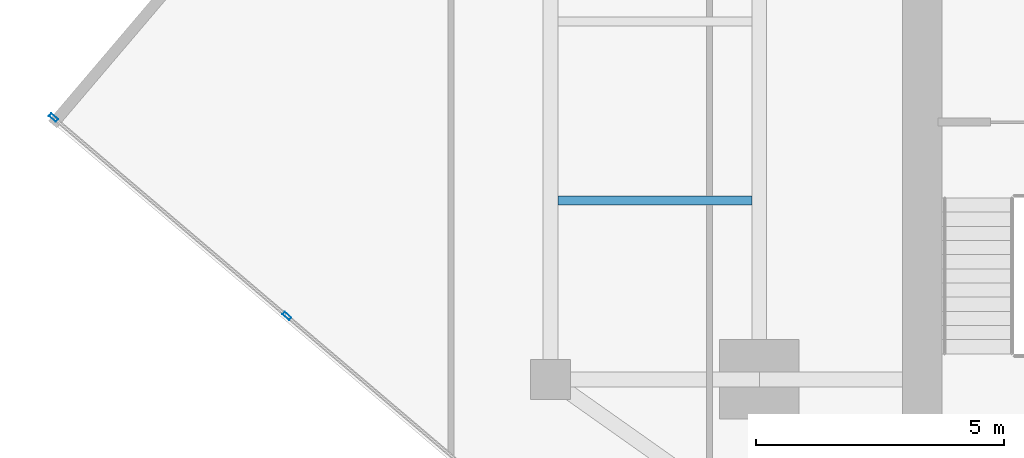
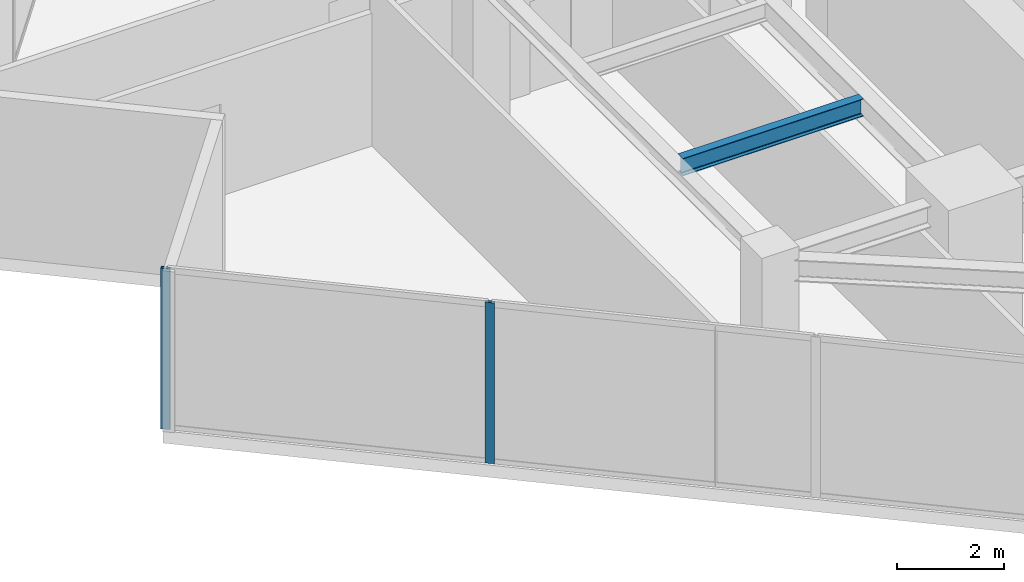
# One storey, part 6 of 25: 2 members, 1 beam, 1 element without a shape of its own.
"""IFC4 building model written with IfcOpenShell, lengths in metres."""

from ifc_helpers import new_model, si_unit, direction, frame, origin, origin_2d, place, context, subcontext, project, spatial, hollow_rectangle, i_section, extrude, source, transform, mapped, material, material_profile, profile_set, type_object, type_shapes, element, aggregate, save


model = new_model("IFC4")

# Units and contexts
model_context = context("Model", 3, precision=1e-05, world=origin(), true_north=direction((0.0, 1.0)))
body_context = subcontext(model_context, "Body", "Model", "MODEL_VIEW")
ifc_project = project(units=[si_unit("LENGTHUNIT", "METRE"), si_unit("AREAUNIT", "SQUARE_METRE"), si_unit("VOLUMEUNIT", "CUBIC_METRE"), si_unit("PLANEANGLEUNIT", "RADIAN"), si_unit("MASSUNIT", "GRAM", prefix="KILO")], contexts=[model_context])

# Site, building, storey
site_placement = place(None, origin())
site = spatial("IfcSite", under=ifc_project, at=site_placement, CompositionType="ELEMENT")
building_placement = place(site_placement, origin())
building = spatial("IfcBuilding", under=site, at=building_placement, Name="Krantzveldt Concourse Tower", CompositionType="ELEMENT")
storey_placement = place(building_placement, frame((0.0, 0.0, 211.25)))
storey = spatial("IfcBuildingStorey", under=building, at=storey_placement, Name="L51", CompositionType="ELEMENT", Elevation=211.25)

# Beam
ifc_material_1 = material(Name="Steel S355JR", Category="steel")
ifc_material_profile_1 = material_profile(ifc_material_1, i_section(OverallWidth=0.179931640625, OverallDepth=0.39990234375, WebThickness=0.008544921875, FlangeThickness=0.013427734375, FilletRadius=0.02099609375, at=origin_2d()), Name="Steel S355JR", Category="steel")
ifc_profile_set_1 = profile_set([ifc_material_profile_1], Name="Steel S355JR - IPE 400")
beam_type = type_object("IfcBeamType", Name="BM-J-IPE400", PredefinedType="JOIST", material=ifc_profile_set_1)
shared_shape_1 = source(origin(), body_context, "Body", "SweptSolid", [
    extrude(i_section(OverallWidth=0.179931640625, OverallDepth=0.39990234375, WebThickness=0.008544921875, FlangeThickness=0.013427734375, FilletRadius=0.02099609375, at=origin_2d()), origin(), (0.0, 0.0, 1.0), 3.900146484375),
])
type_shapes(beam_type, [shared_shape_1])
beam_placement = place(storey_placement, frame((21.14990234375, 19.5, 3.469970703125), z_axis=(1.0, 0.0, 0.0), x_axis=(0.0, 1.0, 0.0)))
element("IfcBeam", 1, at=beam_placement, inside=storey, type_object=beam_type, Name="L51 Secondary Floor Joist JW-1", PredefinedType="JOIST", context=body_context, shape_type="MappedRepresentation", body=[
    mapped(shared_shape_1, transform((0.0, 0.0, 0.0), x_axis=(1.0, 0.0, 0.0), y_axis=(0.0, 1.0, 0.0), z_axis=(0.0, 0.0, 1.0), scale=1.0)),
])

# Curtain wall, members
ifc_material_2 = material(Name="Anodised aluminium 6063-T6", Category="aluminium")
curtain_wall_type = type_object("IfcCurtainWallType", Name="CW3", PredefinedType="USERDEFINED", material=ifc_material_2)
curtain_wall_placement = place(storey_placement, origin())
curtain_wall = element("IfcCurtainWall", 2, at=curtain_wall_placement, inside=storey, type_object=curtain_wall_type, Name="CW-L51-F04", ObjectType="UNITISED CURTAIN WALL", PredefinedType="USERDEFINED")
ifc_material_profile_2 = material_profile(ifc_material_2, hollow_rectangle(XDim=0.070068359375, YDim=0.179931640625, WallThickness=0.0048828125, at=origin_2d()), Name="Anodised aluminium 6063-T6", Category="aluminium")
ifc_profile_set_2 = profile_set([ifc_material_profile_2], Name="Anodised aluminium 6063-T6 - ALU-MULL 180x70x5")
member_type = type_object("IfcMemberType", Name="CW-MUL-180", PredefinedType="MULLION", material=ifc_profile_set_2)
shared_shape_2 = source(origin(), body_context, "Body", "SweptSolid", [
    extrude(hollow_rectangle(XDim=0.070068359375, YDim=0.179931640625, WallThickness=0.0048828125, at=origin_2d()), origin(), (0.0, 0.0, 1.0), 3.669921875),
])
type_shapes(member_type, [shared_shape_2])
member_1_placement = place(storey_placement, frame((10.9970703125, 21.169189453125, 0.0), z_axis=(0.0, 0.0, 1.0), x_axis=(0.647787694805, 0.761820912327, 0.0)))
member_1 = element("IfcMember", 3, at=member_1_placement, type_object=member_type, Name="CW-Z34 mullion 1", PredefinedType="MULLION", context=body_context, shape_type="MappedRepresentation", body=[
    mapped(shared_shape_2, transform((0.0, 0.0, 0.0), x_axis=(1.0, 0.0, 0.0), y_axis=(0.0, 1.0, 0.0), z_axis=(0.0, 0.0, 1.0), scale=1.0)),
])
member_2_placement = place(storey_placement, frame((15.693603515625, 17.175537109375, 0.0), z_axis=(0.0, 0.0, 1.0), x_axis=(0.647787694805, 0.761820912327, 0.0)))
member_2 = element("IfcMember", 4, at=member_2_placement, type_object=member_type, Name="CW-Z34 mullion 2", PredefinedType="MULLION", context=body_context, shape_type="MappedRepresentation", body=[
    mapped(shared_shape_2, transform((0.0, 0.0, 0.0), x_axis=(1.0, 0.0, 0.0), y_axis=(0.0, 1.0, 0.0), z_axis=(0.0, 0.0, 1.0), scale=1.0)),
])
aggregate(curtain_wall, [member_1, member_2])

save(model, "model.ifc")
